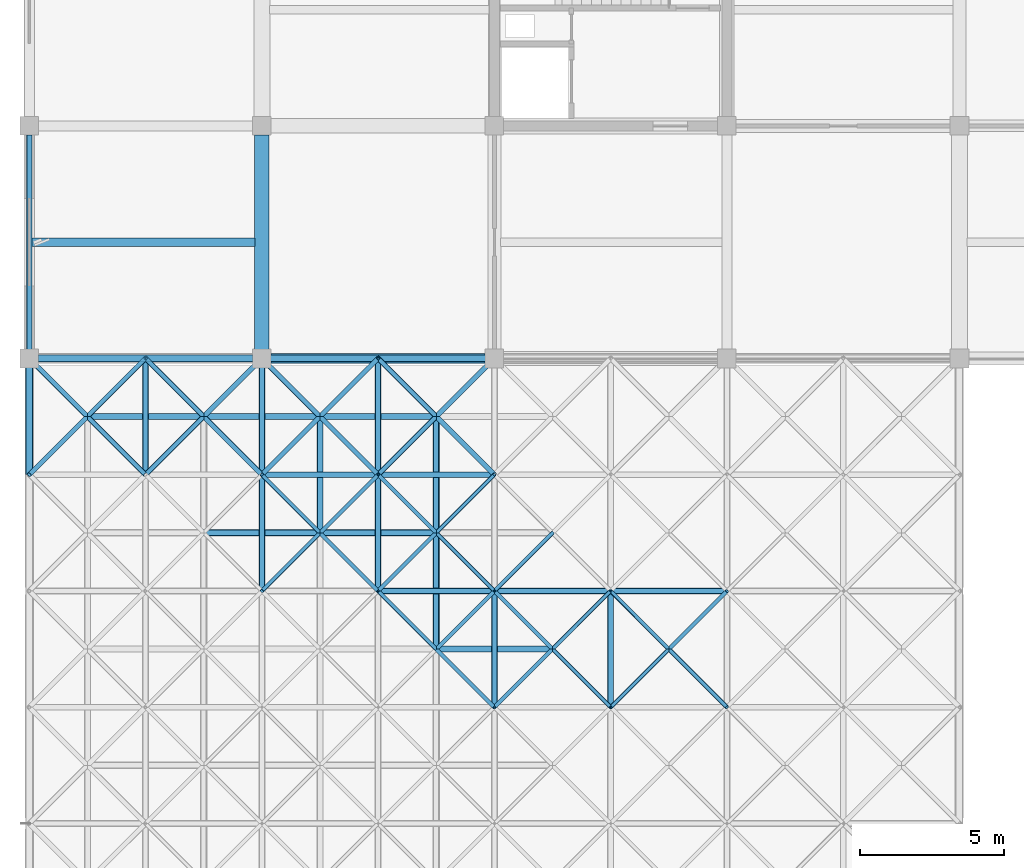
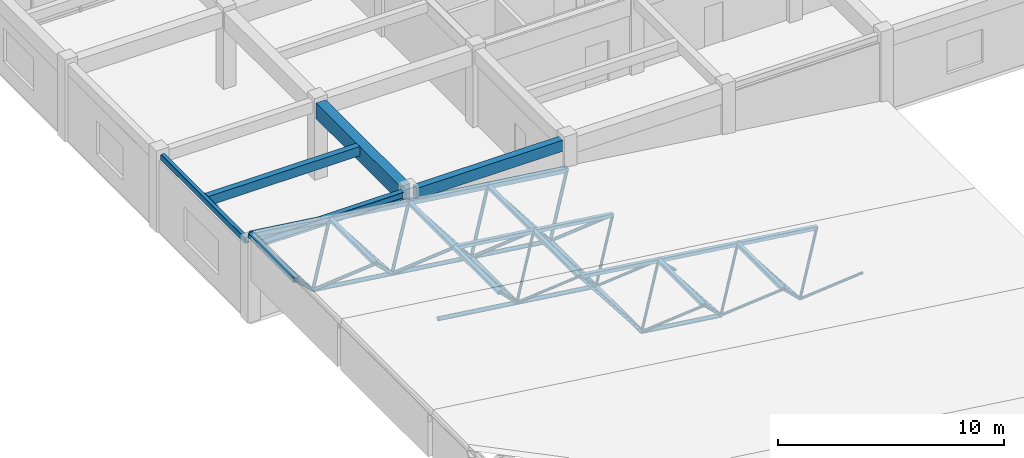
# One storey, part 23 of 70: 62 members, 5 beams.
"""IFC4 building model written with IfcOpenShell, lengths in metres."""

from ifc_helpers import new_model, si_unit, direction, frame, origin, origin_2d, place, context, subcontext, project, spatial, rectangle, hollow_rectangle, hollow_circle, i_section, extrude, material, material_profile, profile_set, type_object, element, save


model = new_model("IFC4")

# Units and contexts
model_context = context("Model", 3, precision=1e-05, world=origin(), true_north=direction((0.0, 1.0)))
body_context = subcontext(model_context, "Body", "Model", "MODEL_VIEW")
ifc_project = project(units=[si_unit("LENGTHUNIT", "METRE"), si_unit("AREAUNIT", "SQUARE_METRE"), si_unit("VOLUMEUNIT", "CUBIC_METRE"), si_unit("PLANEANGLEUNIT", "RADIAN"), si_unit("MASSUNIT", "GRAM", prefix="KILO")], contexts=[model_context])

# Site, building, storey
site_placement = place(None, origin())
site = spatial("IfcSite", under=ifc_project, at=site_placement, CompositionType="ELEMENT")
building_placement = place(site_placement, origin())
building = spatial("IfcBuilding", under=site, at=building_placement, Name="Vaudrelin Polytechnic", CompositionType="ELEMENT")
storey_placement = place(building_placement, frame((0.0, 0.0, 14.110107421875)))
storey = spatial("IfcBuildingStorey", under=building, at=storey_placement, Name="L03", CompositionType="ELEMENT", Elevation=14.110107421875)

# Beams
ifc_material_1 = material(Name="Concrete 40 MPa", Category="concrete")
ifc_material_profile_1 = material_profile(ifc_material_1, rectangle(XDim=0.35009765625, YDim=0.60009765625, at=origin_2d()), Name="RC350x600")
ifc_profile_set_1 = profile_set([ifc_material_profile_1], Name="Concrete 40 MPa")
beam_type_1 = type_object("IfcBeamType", Name="BM-BM-RC3560", PredefinedType="BEAM", material=ifc_profile_set_1)
beam_1_placement = place(storey_placement, frame((8.4208984375, 97.199951171875, 3.85986328125), z_axis=(1.0, 0.0, 0.0), x_axis=(0.0, 1.0, 0.0)))
element("IfcBeam", 1, at=beam_1_placement, inside=storey, type_object=beam_type_1, Name="L03 X-beam 2-13", PredefinedType="BEAM", context=body_context, shape_type="SweptSolid", body=[
    extrude(rectangle(XDim=0.35009765625, YDim=0.60009765625, at=origin_2d()), origin(), (0.0, 0.0, 1.0), 7.4580078125),
])
ifc_material_profile_2 = material_profile(ifc_material_1, rectangle(XDim=0.5, YDim=0.85009765625, at=origin_2d()), Name="RC500x850")
ifc_profile_set_2 = profile_set([ifc_material_profile_2], Name="Concrete 40 MPa")
beam_type_2 = type_object("IfcBeamType", Name="BM-BM-RC5085", PredefinedType="BEAM", material=ifc_profile_set_2)
beam_2_placement = place(storey_placement, frame((8.10009765625, 97.510009765625, 3.73486328125), z_axis=(0.0, 1.0, 0.0), x_axis=(-1.0, 0.0, 0.0)))
element("IfcBeam", 2, at=beam_2_placement, inside=storey, type_object=beam_type_2, Name="L03 Y-beam 2-13", PredefinedType="BEAM", context=body_context, shape_type="SweptSolid", body=[
    extrude(rectangle(XDim=0.5, YDim=0.85009765625, at=origin_2d()), origin(), (0.0, 0.0, 1.0), 7.47998046875),
])
ifc_material_2 = material(Name="Steel CSA G40.21 350WT", Category="steel")
ifc_material_profile_3 = material_profile(ifc_material_2, i_section(OverallWidth=0.260009765625, OverallDepth=0.4150390625, WebThickness=0.010009765625, FlangeThickness=0.016845703125, FilletRadius=0.01611328125, at=origin_2d()), Name="W410x100")
ifc_profile_set_3 = profile_set([ifc_material_profile_3], Name="Steel CSA G40.21 350WT")
beam_type_3 = type_object("IfcBeamType", Name="BM-BM-W410H", PredefinedType="SPANDREL", material=ifc_profile_set_3)
beam_3_placement = place(storey_placement, frame((0.321044921875, 97.199951171875, 3.952392578125), z_axis=(1.0, 0.0, 0.0), x_axis=(0.0, 1.0, 0.0)))
element("IfcBeam", 3, at=beam_3_placement, inside=storey, type_object=beam_type_3, Name="L03 X-beam 1-13", PredefinedType="SPANDREL", context=body_context, shape_type="SweptSolid", body=[
    extrude(i_section(OverallWidth=0.260009765625, OverallDepth=0.4150390625, WebThickness=0.010009765625, FlangeThickness=0.016845703125, FilletRadius=0.01611328125, at=origin_2d()), origin(), (0.0, 0.0, 1.0), 7.4580078125),
])
ifc_material_profile_4 = material_profile(ifc_material_1, rectangle(XDim=0.300048828125, YDim=0.5, at=origin_2d()), Name="RC300x500")
ifc_profile_set_4 = profile_set([ifc_material_profile_4], Name="Concrete 40 MPa")
beam_type_4 = type_object("IfcBeamType", Name="BM-JS-RC3050", PredefinedType="JOIST", material=ifc_profile_set_4)
beam_4_placement = place(storey_placement, frame((0.097412109375, 101.25, 3.909912109375), z_axis=(1.0, 0.0, 0.0), x_axis=(0.0, 1.0, 0.0)))
element("IfcBeam", 4, at=beam_4_placement, inside=storey, type_object=beam_type_4, Name="L03 floor joist 1-13", PredefinedType="JOIST", context=body_context, shape_type="SweptSolid", body=[
    extrude(rectangle(XDim=0.300048828125, YDim=0.5, at=origin_2d()), origin(), (0.0, 0.0, 1.0), 7.756591796875),
])
ifc_material_profile_5 = material_profile(ifc_material_2, hollow_rectangle(XDim=0.202880859375, YDim=0.304931640625, WallThickness=0.010986328125, InnerFilletRadius=0.010986328125, OuterFilletRadius=0.022216796875, at=origin_2d()), Name="HSS305x203x11.1")
ifc_profile_set_5 = profile_set([ifc_material_profile_5], Name="Steel CSA G40.21 350WT")
beam_type_5 = type_object("IfcBeamType", Name="BM-SP-HSS30", PredefinedType="SPANDREL", material=ifc_profile_set_5)
beam_5_placement = place(storey_placement, frame((0.0, 97.510009765625, 4.00732421875), z_axis=(0.0, 1.0, 0.0), x_axis=(-1.0, 0.0, 0.0)))
element("IfcBeam", 5, at=beam_5_placement, inside=storey, type_object=beam_type_5, Name="L03 Y-beam 1-13", PredefinedType="SPANDREL", context=body_context, shape_type="SweptSolid", body=[
    extrude(hollow_rectangle(XDim=0.202880859375, YDim=0.304931640625, WallThickness=0.010986328125, InnerFilletRadius=0.010986328125, OuterFilletRadius=0.022216796875, at=origin_2d()), origin(), (0.0, 0.0, 1.0), 7.47998046875),
])

# Members
ifc_material_profile_6 = material_profile(ifc_material_2, hollow_circle(Radius=0.109619140625, WallThickness=0.010986328125, at=origin_2d()), Name="CHS219.1x11.1")
ifc_profile_set_6 = profile_set([ifc_material_profile_6], Name="Steel CSA G40.21 350WT")
member_type_1 = type_object("IfcMemberType", Name="MEM-SF-BC1", PredefinedType="CHORD", material=ifc_profile_set_6)
for number, where, z_axis, x_axis, name in (
    (6, (14.175048828125, 87.074951171875, 0.439208984375), (0.991444732077, 0.0, -0.130527174324), (0.0, 1.0, 0.0), "Space frame bottom chord X 4-12"),
    (7, (6.074951171875, 91.125, 1.505615234375), (0.991444732077, 0.0, -0.130527174324), (0.0, 1.0, 0.0), "Space frame bottom chord X 2-13"),
    (8, (10.125, 91.125, 0.972412109375), (0.991444732077, 0.0, -0.130527174324), (0.0, 1.0, 0.0), "Space frame bottom chord X 3-13"),
    (9, (2.02490234375, 95.175048828125, 2.038818359375), (0.991444732077, 0.0, -0.130527174324), (0.0, 1.0, 0.0), "Space frame bottom chord X 1-14"),
    (10, (6.074951171875, 95.175048828125, 1.505615234375), (0.991444732077, 0.0, -0.130527174324), (0.0, 1.0, 0.0), "Space frame bottom chord X 2-14"),
    (11, (10.125, 95.175048828125, 0.972412109375), (0.991444732077, 0.0, -0.130527174324), (0.0, 1.0, 0.0), "Space frame bottom chord X 3-14"),
):
    element("IfcMember", number, at=place(storey_placement, frame(where, z_axis=z_axis, x_axis=x_axis)), inside=storey, type_object=member_type_1, Name=name, PredefinedType="CHORD", context=body_context, shape_type="SweptSolid", body=[
        extrude(hollow_circle(Radius=0.109619140625, WallThickness=0.010986328125, at=origin_2d()), origin(), (0.0, 0.0, 1.0), 4.0849609375),
    ])
for number, where, z_axis, x_axis, name in (
    (12, (10.125, 91.125, 0.972412109375), (0.0, 1.0, 0.0), (-1.0, 0.0, 0.0), "Space frame bottom chord Y 3-13"),
    (13, (14.175048828125, 87.074951171875, 0.439208984375), (0.0, 1.0, 0.0), (-1.0, 0.0, 0.0), "Space frame bottom chord Y 4-12"),
    (14, (14.175048828125, 91.125, 0.439208984375), (0.0, 1.0, 0.0), (-1.0, 0.0, 0.0), "Space frame bottom chord Y 4-13"),
):
    element("IfcMember", number, at=place(storey_placement, frame(where, z_axis=z_axis, x_axis=x_axis)), inside=storey, type_object=member_type_1, Name=name, PredefinedType="CHORD", context=body_context, shape_type="SweptSolid", body=[
        extrude(hollow_circle(Radius=0.109619140625, WallThickness=0.010986328125, at=origin_2d()), origin(), (0.0, 0.0, 1.0), 4.050048828125),
    ])
ifc_material_profile_7 = material_profile(ifc_material_2, hollow_rectangle(XDim=0.202880859375, YDim=0.202880859375, WallThickness=0.009521484375, InnerFilletRadius=0.009521484375, OuterFilletRadius=0.01904296875, at=origin_2d()), Name="HSS203x203x9.5")
ifc_profile_set_7 = profile_set([ifc_material_profile_7], Name="Steel CSA G40.21 350WT")
member_type_2 = type_object("IfcMemberType", Name="MEM-SF-TC1", PredefinedType="CHORD", material=ifc_profile_set_7)
for number, where, z_axis, x_axis, name in (
    (15, (12.14990234375, 89.10009765625, 2.906005859375), (0.991444732077, 0.0, -0.130527174324), (0.0, 1.0, 0.0), "Space frame top chord X 4-13"),
    (16, (16.199951171875, 89.10009765625, 2.372802734375), (0.991444732077, 0.0, -0.130527174324), (0.0, 1.0, 0.0), "Space frame top chord X 5-13"),
    (17, (20.25, 89.10009765625, 1.839599609375), (0.991444732077, 0.0, -0.130527174324), (0.0, 1.0, 0.0), "Space frame top chord X 6-13"),
):
    element("IfcMember", number, at=place(storey_placement, frame(where, z_axis=z_axis, x_axis=x_axis)), inside=storey, type_object=member_type_2, Name=name, PredefinedType="CHORD", context=body_context, shape_type="SweptSolid", body=[
        extrude(hollow_rectangle(XDim=0.202880859375, YDim=0.202880859375, WallThickness=0.009521484375, InnerFilletRadius=0.009521484375, OuterFilletRadius=0.01904296875, at=origin_2d()), origin(), (0.0, 0.0, 1.0), 4.0849609375),
    ])
member_1_placement = place(storey_placement, frame((8.10009765625, 93.14990234375, 3.439208984375), z_axis=(0.991443713746, 0.0, -0.13053490902), x_axis=(0.0, 1.0, 0.0)))
element("IfcMember", 18, at=member_1_placement, inside=storey, type_object=member_type_2, Name="Space frame top chord X 3-14", PredefinedType="CHORD", context=body_context, shape_type="SweptSolid", body=[
    extrude(hollow_rectangle(XDim=0.202880859375, YDim=0.202880859375, WallThickness=0.009521484375, InnerFilletRadius=0.009521484375, OuterFilletRadius=0.01904296875, at=origin_2d()), origin(), (0.0, 0.0, 1.0), 4.084716796875),
])
member_2_placement = place(storey_placement, frame((12.14990234375, 93.14990234375, 2.906005859375), z_axis=(0.991444732077, 0.0, -0.130527174324), x_axis=(0.0, 1.0, 0.0)))
element("IfcMember", 19, at=member_2_placement, inside=storey, type_object=member_type_2, Name="Space frame top chord X 4-14", PredefinedType="CHORD", context=body_context, shape_type="SweptSolid", body=[
    extrude(hollow_rectangle(XDim=0.202880859375, YDim=0.202880859375, WallThickness=0.009521484375, InnerFilletRadius=0.009521484375, OuterFilletRadius=0.01904296875, at=origin_2d()), origin(), (0.0, 0.0, 1.0), 4.0849609375),
])
member_3_placement = place(storey_placement, frame((4.050048828125, 93.14990234375, 3.97216796875), z_axis=(0.0, 1.0, 0.0), x_axis=(-1.0, 0.0, 0.0)))
element("IfcMember", 20, at=member_3_placement, inside=storey, type_object=member_type_2, Name="Space frame top chord Y 2-14", PredefinedType="CHORD", context=body_context, shape_type="SweptSolid", body=[
    extrude(hollow_rectangle(XDim=0.202880859375, YDim=0.202880859375, WallThickness=0.009521484375, InnerFilletRadius=0.009521484375, OuterFilletRadius=0.01904296875, at=origin_2d()), origin(), (0.0, 0.0, 1.0), 4.050048828125),
])
member_4_placement = place(storey_placement, frame((8.10009765625, 89.10009765625, 3.439208984375), z_axis=(0.0, 1.0, 0.0), x_axis=(-1.0, 0.0, 0.0)))
element("IfcMember", 21, at=member_4_placement, inside=storey, type_object=member_type_2, Name="Space frame top chord Y 3-13", PredefinedType="CHORD", context=body_context, shape_type="SweptSolid", body=[
    extrude(hollow_rectangle(XDim=0.202880859375, YDim=0.202880859375, WallThickness=0.009521484375, InnerFilletRadius=0.009521484375, OuterFilletRadius=0.01904296875, at=origin_2d()), origin(), (0.0, 0.0, 1.0), 4.0498046875),
])
member_5_placement = place(storey_placement, frame((8.10009765625, 93.14990234375, 3.439208984375), z_axis=(0.0, 1.0, 0.0), x_axis=(-1.0, 0.0, 0.0)))
element("IfcMember", 22, at=member_5_placement, inside=storey, type_object=member_type_2, Name="Space frame top chord Y 3-14", PredefinedType="CHORD", context=body_context, shape_type="SweptSolid", body=[
    extrude(hollow_rectangle(XDim=0.202880859375, YDim=0.202880859375, WallThickness=0.009521484375, InnerFilletRadius=0.009521484375, OuterFilletRadius=0.01904296875, at=origin_2d()), origin(), (0.0, 0.0, 1.0), 4.050048828125),
])
member_6_placement = place(storey_placement, frame((12.14990234375, 89.10009765625, 2.906005859375), z_axis=(0.0, 1.0, 0.0), x_axis=(-1.0, 0.0, 0.0)))
element("IfcMember", 23, at=member_6_placement, inside=storey, type_object=member_type_2, Name="Space frame top chord Y 4-13", PredefinedType="CHORD", context=body_context, shape_type="SweptSolid", body=[
    extrude(hollow_rectangle(XDim=0.202880859375, YDim=0.202880859375, WallThickness=0.009521484375, InnerFilletRadius=0.009521484375, OuterFilletRadius=0.01904296875, at=origin_2d()), origin(), (0.0, 0.0, 1.0), 4.0498046875),
])
for number, where, z_axis, x_axis, name in (
    (24, (12.14990234375, 93.14990234375, 2.906005859375), (0.0, 1.0, 0.0), (-1.0, 0.0, 0.0), "Space frame top chord Y 4-14"),
    (25, (16.199951171875, 85.050048828125, 2.372802734375), (0.0, 1.0, 0.0), (-1.0, 0.0, 0.0), "Space frame top chord Y 5-12"),
    (26, (20.25, 85.050048828125, 1.839599609375), (0.0, 1.0, 0.0), (-1.0, 0.0, 0.0), "Space frame top chord Y 6-12"),
):
    element("IfcMember", number, at=place(storey_placement, frame(where, z_axis=z_axis, x_axis=x_axis)), inside=storey, type_object=member_type_2, Name=name, PredefinedType="CHORD", context=body_context, shape_type="SweptSolid", body=[
        extrude(hollow_rectangle(XDim=0.202880859375, YDim=0.202880859375, WallThickness=0.009521484375, InnerFilletRadius=0.009521484375, OuterFilletRadius=0.01904296875, at=origin_2d()), origin(), (0.0, 0.0, 1.0), 4.050048828125),
    ])
ifc_material_profile_8 = material_profile(ifc_material_2, hollow_rectangle(XDim=0.25390625, YDim=0.25390625, WallThickness=0.0126953125, InnerFilletRadius=0.0126953125, OuterFilletRadius=0.025390625, at=origin_2d()), Name="HSS254x254x12.7")
ifc_profile_set_8 = profile_set([ifc_material_profile_8], Name="Steel CSA G40.21 350WT")
member_type_3 = type_object("IfcMemberType", Name="MEM-SF-TC2", PredefinedType="CHORD", material=ifc_profile_set_8)
for number, where, z_axis, x_axis, name in (
    (27, (0.0, 97.199951171875, 4.50537109375), (0.991444732077, 0.0, -0.130527174324), (0.0, 1.0, 0.0), "Space frame top chord X 1-15"),
    (28, (4.050048828125, 97.199951171875, 3.97216796875), (0.991452464639, 0.0, -0.130468426687), (0.0, 1.0, 0.0), "Space frame top chord X 2-15"),
):
    element("IfcMember", number, at=place(storey_placement, frame(where, z_axis=z_axis, x_axis=x_axis)), inside=storey, type_object=member_type_3, Name=name, PredefinedType="CHORD", context=body_context, shape_type="SweptSolid", body=[
        extrude(hollow_rectangle(XDim=0.25390625, YDim=0.25390625, WallThickness=0.0126953125, InnerFilletRadius=0.0126953125, OuterFilletRadius=0.025390625, at=origin_2d()), origin(), (0.0, 0.0, 1.0), 4.0849609375),
    ])
member_7_placement = place(storey_placement, frame((8.10009765625, 97.199951171875, 3.439208984375), z_axis=(0.991443713746, 0.0, -0.13053490902), x_axis=(0.0, 1.0, 0.0)))
element("IfcMember", 29, at=member_7_placement, inside=storey, type_object=member_type_3, Name="Space frame top chord X 3-15", PredefinedType="CHORD", context=body_context, shape_type="SweptSolid", body=[
    extrude(hollow_rectangle(XDim=0.25390625, YDim=0.25390625, WallThickness=0.0126953125, InnerFilletRadius=0.0126953125, OuterFilletRadius=0.025390625, at=origin_2d()), origin(), (0.0, 0.0, 1.0), 4.084716796875),
])
member_8_placement = place(storey_placement, frame((12.14990234375, 97.199951171875, 2.906005859375), z_axis=(0.991444732077, 0.0, -0.130527174324), x_axis=(0.0, 1.0, 0.0)))
element("IfcMember", 30, at=member_8_placement, inside=storey, type_object=member_type_3, Name="Space frame top chord X 4-15", PredefinedType="CHORD", context=body_context, shape_type="SweptSolid", body=[
    extrude(hollow_rectangle(XDim=0.25390625, YDim=0.25390625, WallThickness=0.0126953125, InnerFilletRadius=0.0126953125, OuterFilletRadius=0.025390625, at=origin_2d()), origin(), (0.0, 0.0, 1.0), 4.0849609375),
])
member_9_placement = place(storey_placement, frame((0.0, 93.14990234375, 4.50537109375), z_axis=(0.0, 1.0, 0.0), x_axis=(-1.0, 0.0, 0.0)))
element("IfcMember", 31, at=member_9_placement, inside=storey, type_object=member_type_3, Name="Space frame top chord Y 1-14", PredefinedType="CHORD", context=body_context, shape_type="SweptSolid", body=[
    extrude(hollow_rectangle(XDim=0.25390625, YDim=0.25390625, WallThickness=0.0126953125, InnerFilletRadius=0.0126953125, OuterFilletRadius=0.025390625, at=origin_2d()), origin(), (0.0, 0.0, 1.0), 4.050048828125),
])
ifc_material_profile_9 = material_profile(ifc_material_2, hollow_circle(Radius=0.06982421875, WallThickness=0.008056640625, at=origin_2d()), Name="CHS139.7x8.0")
ifc_profile_set_9 = profile_set([ifc_material_profile_9], Name="Steel CSA G40.21 350WT")
member_type_4 = type_object("IfcMemberType", Name="MEM-SF-WB1", PredefinedType="BRACE", material=ifc_profile_set_9)
member_10_placement = place(storey_placement, frame((10.125, 91.125, 0.972412109375), z_axis=(-0.535741961868, -0.535741961868, 0.652656954753), x_axis=(0.707106781187, -0.707106781187, 0.0)))
element("IfcMember", 32, at=member_10_placement, inside=storey, type_object=member_type_4, Name="Space frame web diagonal 3.13.1", PredefinedType="BRACE", context=body_context, shape_type="SweptSolid", body=[
    extrude(hollow_circle(Radius=0.06982421875, WallThickness=0.008056640625, at=origin_2d()), origin(), (0.0, 0.0, 1.0), 3.779541015625),
])
for number, where, z_axis, x_axis, name in (
    (33, (10.125, 91.125, 0.972412109375), (0.586024364893, -0.586024364893, 0.559598863028), (0.707106781187, 0.707106781187, 0.0), "Space frame web diagonal 3.13.2"),
    (34, (10.125, 91.125, 0.972412109375), (0.586024364893, 0.586024364893, 0.559598863028), (-0.707106781187, 0.707106781187, 0.0), "Space frame web diagonal 3.13.3"),
):
    element("IfcMember", number, at=place(storey_placement, frame(where, z_axis=z_axis, x_axis=x_axis)), inside=storey, type_object=member_type_4, Name=name, PredefinedType="BRACE", context=body_context, shape_type="SweptSolid", body=[
        extrude(hollow_circle(Radius=0.06982421875, WallThickness=0.008056640625, at=origin_2d()), origin(), (0.0, 0.0, 1.0), 3.455322265625),
    ])
member_11_placement = place(storey_placement, frame((10.125, 91.125, 0.972412109375), z_axis=(-0.535741961868, 0.535741961868, 0.652656954753), x_axis=(-0.707106781187, -0.707106781187, 0.0)))
element("IfcMember", 35, at=member_11_placement, inside=storey, type_object=member_type_4, Name="Space frame web diagonal 3.13.4", PredefinedType="BRACE", context=body_context, shape_type="SweptSolid", body=[
    extrude(hollow_circle(Radius=0.06982421875, WallThickness=0.008056640625, at=origin_2d()), origin(), (0.0, 0.0, 1.0), 3.779541015625),
])
member_12_placement = place(storey_placement, frame((14.175048828125, 87.074951171875, 0.439208984375), z_axis=(0.586024364893, -0.586024364893, 0.559598863028), x_axis=(0.707106781187, 0.707106781187, 0.0)))
element("IfcMember", 36, at=member_12_placement, inside=storey, type_object=member_type_4, Name="Space frame web diagonal 4.12.2", PredefinedType="BRACE", context=body_context, shape_type="SweptSolid", body=[
    extrude(hollow_circle(Radius=0.06982421875, WallThickness=0.008056640625, at=origin_2d()), origin(), (0.0, 0.0, 1.0), 3.455322265625),
])
member_13_placement = place(storey_placement, frame((14.175048828125, 87.074951171875, 0.439208984375), z_axis=(0.586000099787, 0.586070753284, 0.559575692105), x_axis=(-0.707149404941, 0.707064154862, 0.0)))
element("IfcMember", 37, at=member_13_placement, inside=storey, type_object=member_type_4, Name="Space frame web diagonal 4.12.3", PredefinedType="BRACE", context=body_context, shape_type="SweptSolid", body=[
    extrude(hollow_circle(Radius=0.06982421875, WallThickness=0.008056640625, at=origin_2d()), origin(), (0.0, 0.0, 1.0), 3.45556640625),
])
for number, where, z_axis, x_axis, name in (
    (38, (14.175048828125, 87.074951171875, 0.439208984375), (-0.535769473509, 0.535769473509, 0.652611785453), (-0.707106781187, -0.707106781187, 0.0), "Space frame web diagonal 4.12.4"),
    (39, (14.175048828125, 91.125, 0.439208984375), (-0.535788013686, -0.535723422002, 0.65263436893), (0.707064154862, -0.707149404941, 0.0), "Space frame web diagonal 4.13.1"),
):
    element("IfcMember", number, at=place(storey_placement, frame(where, z_axis=z_axis, x_axis=x_axis)), inside=storey, type_object=member_type_4, Name=name, PredefinedType="BRACE", context=body_context, shape_type="SweptSolid", body=[
        extrude(hollow_circle(Radius=0.06982421875, WallThickness=0.008056640625, at=origin_2d()), origin(), (0.0, 0.0, 1.0), 3.77978515625),
    ])
for number, where, z_axis, x_axis, name in (
    (40, (14.175048828125, 91.125, 0.439208984375), (0.586024364893, -0.586024364893, 0.559598863028), (0.707106781187, 0.707106781187, 0.0), "Space frame web diagonal 4.13.2"),
    (41, (14.175048828125, 91.125, 0.439208984375), (0.586024364893, 0.586024364893, 0.559598863028), (-0.707106781187, 0.707106781187, 0.0), "Space frame web diagonal 4.13.3"),
):
    element("IfcMember", number, at=place(storey_placement, frame(where, z_axis=z_axis, x_axis=x_axis)), inside=storey, type_object=member_type_4, Name=name, PredefinedType="BRACE", context=body_context, shape_type="SweptSolid", body=[
        extrude(hollow_circle(Radius=0.06982421875, WallThickness=0.008056640625, at=origin_2d()), origin(), (0.0, 0.0, 1.0), 3.455322265625),
    ])
for number, where, z_axis, x_axis, name in (
    (42, (14.175048828125, 91.125, 0.439208984375), (-0.535788013686, 0.535723422002, 0.65263436893), (-0.707064154862, -0.707149404941, 0.0), "Space frame web diagonal 4.13.4"),
    (43, (18.22509765625, 87.074951171875, -0.093994140625), (-0.535788013686, -0.535723422002, 0.65263436893), (0.707064154862, -0.707149404941, 0.0), "Space frame web diagonal 5.12.1"),
):
    element("IfcMember", number, at=place(storey_placement, frame(where, z_axis=z_axis, x_axis=x_axis)), inside=storey, type_object=member_type_4, Name=name, PredefinedType="BRACE", context=body_context, shape_type="SweptSolid", body=[
        extrude(hollow_circle(Radius=0.06982421875, WallThickness=0.008056640625, at=origin_2d()), origin(), (0.0, 0.0, 1.0), 3.77978515625),
    ])
member_14_placement = place(storey_placement, frame((18.22509765625, 87.074951171875, -0.093994140625), z_axis=(0.586024364893, -0.586024364893, 0.559598863028), x_axis=(0.707106781187, 0.707106781187, 0.0)))
element("IfcMember", 44, at=member_14_placement, inside=storey, type_object=member_type_4, Name="Space frame web diagonal 5.12.2", PredefinedType="BRACE", context=body_context, shape_type="SweptSolid", body=[
    extrude(hollow_circle(Radius=0.06982421875, WallThickness=0.008056640625, at=origin_2d()), origin(), (0.0, 0.0, 1.0), 3.455322265625),
])
member_15_placement = place(storey_placement, frame((18.22509765625, 87.074951171875, -0.093994140625), z_axis=(0.586000099787, 0.586070753284, 0.559575692105), x_axis=(-0.707149404941, 0.707064154862, 0.0)))
element("IfcMember", 45, at=member_15_placement, inside=storey, type_object=member_type_4, Name="Space frame web diagonal 5.12.3", PredefinedType="BRACE", context=body_context, shape_type="SweptSolid", body=[
    extrude(hollow_circle(Radius=0.06982421875, WallThickness=0.008056640625, at=origin_2d()), origin(), (0.0, 0.0, 1.0), 3.45556640625),
])
for number, where, z_axis, x_axis, name in (
    (46, (18.22509765625, 87.074951171875, -0.093994140625), (-0.535769473509, 0.535769473509, 0.652611785453), (-0.707106781187, -0.707106781187, 0.0), "Space frame web diagonal 5.12.4"),
    (47, (18.22509765625, 91.125, -0.093994140625), (-0.535788013686, -0.535723422002, 0.65263436893), (0.707064154862, -0.707149404941, 0.0), "Space frame web diagonal 5.13.1"),
):
    element("IfcMember", number, at=place(storey_placement, frame(where, z_axis=z_axis, x_axis=x_axis)), inside=storey, type_object=member_type_4, Name=name, PredefinedType="BRACE", context=body_context, shape_type="SweptSolid", body=[
        extrude(hollow_circle(Radius=0.06982421875, WallThickness=0.008056640625, at=origin_2d()), origin(), (0.0, 0.0, 1.0), 3.77978515625),
    ])
member_16_placement = place(storey_placement, frame((22.27490234375, 87.074951171875, -0.627197265625), z_axis=(-0.535741961868, -0.535741961868, 0.652656954753), x_axis=(0.707106781187, -0.707106781187, 0.0)))
element("IfcMember", 48, at=member_16_placement, inside=storey, type_object=member_type_4, Name="Space frame web diagonal 6.12.1", PredefinedType="BRACE", context=body_context, shape_type="SweptSolid", body=[
    extrude(hollow_circle(Radius=0.06982421875, WallThickness=0.008056640625, at=origin_2d()), origin(), (0.0, 0.0, 1.0), 3.779541015625),
])
for number, where, z_axis, x_axis, name in (
    (49, (22.27490234375, 87.074951171875, -0.627197265625), (0.586070753284, -0.586000099787, 0.559575692105), (0.707064154862, 0.707149404941, 0.0), "Space frame web diagonal 6.12.2"),
    (50, (22.27490234375, 87.074951171875, -0.627197265625), (0.586046488267, 0.586046488267, 0.559552524059), (-0.707106781187, 0.707106781187, 0.0), "Space frame web diagonal 6.12.3"),
):
    element("IfcMember", number, at=place(storey_placement, frame(where, z_axis=z_axis, x_axis=x_axis)), inside=storey, type_object=member_type_4, Name=name, PredefinedType="BRACE", context=body_context, shape_type="SweptSolid", body=[
        extrude(hollow_circle(Radius=0.06982421875, WallThickness=0.008056640625, at=origin_2d()), origin(), (0.0, 0.0, 1.0), 3.45556640625),
    ])
member_17_placement = place(storey_placement, frame((22.27490234375, 87.074951171875, -0.627197265625), z_axis=(-0.535723422002, 0.535788013686, 0.65263436893), x_axis=(-0.707149404941, -0.707064154862, 0.0)))
element("IfcMember", 51, at=member_17_placement, inside=storey, type_object=member_type_4, Name="Space frame web diagonal 6.12.4", PredefinedType="BRACE", context=body_context, shape_type="SweptSolid", body=[
    extrude(hollow_circle(Radius=0.06982421875, WallThickness=0.008056640625, at=origin_2d()), origin(), (0.0, 0.0, 1.0), 3.77978515625),
])
ifc_material_profile_10 = material_profile(ifc_material_2, hollow_circle(Radius=0.084228515625, WallThickness=0.009521484375, at=origin_2d()), Name="CHS168.3x9.5")
ifc_profile_set_10 = profile_set([ifc_material_profile_10], Name="Steel CSA G40.21 350WT")
member_type_5 = type_object("IfcMemberType", Name="MEM-SF-WB2", PredefinedType="BRACE", material=ifc_profile_set_10)
member_18_placement = place(storey_placement, frame((2.02490234375, 95.175048828125, 2.038818359375), z_axis=(-0.535746005601, -0.535810600007, 0.652597286543), x_axis=(0.707149404941, -0.707064154862, 0.0)))
element("IfcMember", 52, at=member_18_placement, inside=storey, type_object=member_type_5, Name="Space frame web diagonal 1.14.1", PredefinedType="BRACE", context=body_context, shape_type="SweptSolid", body=[
    extrude(hollow_circle(Radius=0.084228515625, WallThickness=0.009521484375, at=origin_2d()), origin(), (0.0, 0.0, 1.0), 3.779541015625),
])
member_19_placement = place(storey_placement, frame((2.02490234375, 95.175048828125, 2.038818359375), z_axis=(0.586069656181, -0.586069656181, 0.559503991235), x_axis=(0.707106781187, 0.707106781187, 0.0)))
element("IfcMember", 53, at=member_19_placement, inside=storey, type_object=member_type_5, Name="Space frame web diagonal 1.14.2", PredefinedType="BRACE", context=body_context, shape_type="SweptSolid", body=[
    extrude(hollow_circle(Radius=0.084228515625, WallThickness=0.009521484375, at=origin_2d()), origin(), (0.0, 0.0, 1.0), 3.45556640625),
])
member_20_placement = place(storey_placement, frame((2.02490234375, 95.175048828125, 2.038818359375), z_axis=(0.586093924076, 0.586023267786, 0.559527159103), x_axis=(-0.707064154862, 0.707149404941, 0.0)))
element("IfcMember", 54, at=member_20_placement, inside=storey, type_object=member_type_5, Name="Space frame web diagonal 1.14.3", PredefinedType="BRACE", context=body_context, shape_type="SweptSolid", body=[
    extrude(hollow_circle(Radius=0.084228515625, WallThickness=0.009521484375, at=origin_2d()), origin(), (0.0, 0.0, 1.0), 3.455322265625),
])
for number, where, z_axis, x_axis, name in (
    (55, (2.02490234375, 95.175048828125, 2.038818359375), (-0.535764547812, 0.535764547812, 0.652619872986), (-0.707106781187, -0.707106781187, 0.0), "Space frame web diagonal 1.14.4"),
    (56, (6.074951171875, 95.175048828125, 1.505615234375), (-0.535746005601, -0.535810600007, 0.652597286543), (0.707149404941, -0.707064154862, 0.0), "Space frame web diagonal 2.14.1"),
):
    element("IfcMember", number, at=place(storey_placement, frame(where, z_axis=z_axis, x_axis=x_axis)), inside=storey, type_object=member_type_5, Name=name, PredefinedType="BRACE", context=body_context, shape_type="SweptSolid", body=[
        extrude(hollow_circle(Radius=0.084228515625, WallThickness=0.009521484375, at=origin_2d()), origin(), (0.0, 0.0, 1.0), 3.779541015625),
    ])
for number, where, z_axis, x_axis, name in (
    (57, (6.074951171875, 95.175048828125, 1.505615234375), (0.586046488267, -0.586046488267, 0.559552524059), (0.707106781187, 0.707106781187, 0.0), "Space frame web diagonal 2.14.2"),
    (58, (6.074951171875, 95.175048828125, 1.505615234375), (0.586070753284, 0.586000099787, 0.559575692105), (-0.707064154862, 0.707149404941, 0.0), "Space frame web diagonal 2.14.3"),
):
    element("IfcMember", number, at=place(storey_placement, frame(where, z_axis=z_axis, x_axis=x_axis)), inside=storey, type_object=member_type_5, Name=name, PredefinedType="BRACE", context=body_context, shape_type="SweptSolid", body=[
        extrude(hollow_circle(Radius=0.084228515625, WallThickness=0.009521484375, at=origin_2d()), origin(), (0.0, 0.0, 1.0), 3.45556640625),
    ])
member_21_placement = place(storey_placement, frame((6.074951171875, 95.175048828125, 1.505615234375), z_axis=(-0.535764547812, 0.535764547812, 0.652619872986), x_axis=(-0.707106781187, -0.707106781187, 0.0)))
element("IfcMember", 59, at=member_21_placement, inside=storey, type_object=member_type_5, Name="Space frame web diagonal 2.14.4", PredefinedType="BRACE", context=body_context, shape_type="SweptSolid", body=[
    extrude(hollow_circle(Radius=0.084228515625, WallThickness=0.009521484375, at=origin_2d()), origin(), (0.0, 0.0, 1.0), 3.779541015625),
])
member_22_placement = place(storey_placement, frame((10.125, 95.175048828125, 0.972412109375), z_axis=(-0.535723422002, -0.535788013686, 0.65263436893), x_axis=(0.707149404941, -0.707064154862, 0.0)))
element("IfcMember", 60, at=member_22_placement, inside=storey, type_object=member_type_5, Name="Space frame web diagonal 3.14.1", PredefinedType="BRACE", context=body_context, shape_type="SweptSolid", body=[
    extrude(hollow_circle(Radius=0.084228515625, WallThickness=0.009521484375, at=origin_2d()), origin(), (0.0, 0.0, 1.0), 3.77978515625),
])
member_23_placement = place(storey_placement, frame((10.125, 95.175048828125, 0.972412109375), z_axis=(0.586000099787, -0.586070753284, 0.559575692105), x_axis=(0.707149404941, 0.707064154862, 0.0)))
element("IfcMember", 61, at=member_23_placement, inside=storey, type_object=member_type_5, Name="Space frame web diagonal 3.14.2", PredefinedType="BRACE", context=body_context, shape_type="SweptSolid", body=[
    extrude(hollow_circle(Radius=0.084228515625, WallThickness=0.009521484375, at=origin_2d()), origin(), (0.0, 0.0, 1.0), 3.45556640625),
])
member_24_placement = place(storey_placement, frame((10.125, 95.175048828125, 0.972412109375), z_axis=(0.586024364893, 0.586024364893, 0.559598863028), x_axis=(-0.707106781187, 0.707106781187, 0.0)))
element("IfcMember", 62, at=member_24_placement, inside=storey, type_object=member_type_5, Name="Space frame web diagonal 3.14.3", PredefinedType="BRACE", context=body_context, shape_type="SweptSolid", body=[
    extrude(hollow_circle(Radius=0.084228515625, WallThickness=0.009521484375, at=origin_2d()), origin(), (0.0, 0.0, 1.0), 3.455322265625),
])
member_25_placement = place(storey_placement, frame((10.125, 95.175048828125, 0.972412109375), z_axis=(-0.535741961868, 0.535741961868, 0.652656954753), x_axis=(-0.707106781187, -0.707106781187, 0.0)))
element("IfcMember", 63, at=member_25_placement, inside=storey, type_object=member_type_5, Name="Space frame web diagonal 3.14.4", PredefinedType="BRACE", context=body_context, shape_type="SweptSolid", body=[
    extrude(hollow_circle(Radius=0.084228515625, WallThickness=0.009521484375, at=origin_2d()), origin(), (0.0, 0.0, 1.0), 3.779541015625),
])
member_26_placement = place(storey_placement, frame((14.175048828125, 95.175048828125, 0.439208984375), z_axis=(-0.535769473509, -0.535769473509, 0.652611785453), x_axis=(0.707106781187, -0.707106781187, 0.0)))
element("IfcMember", 64, at=member_26_placement, inside=storey, type_object=member_type_5, Name="Space frame web diagonal 4.14.1", PredefinedType="BRACE", context=body_context, shape_type="SweptSolid", body=[
    extrude(hollow_circle(Radius=0.084228515625, WallThickness=0.009521484375, at=origin_2d()), origin(), (0.0, 0.0, 1.0), 3.77978515625),
])
member_27_placement = place(storey_placement, frame((14.175048828125, 95.175048828125, 0.439208984375), z_axis=(0.586000099787, -0.586070753284, 0.559575692105), x_axis=(0.707149404941, 0.707064154862, 0.0)))
element("IfcMember", 65, at=member_27_placement, inside=storey, type_object=member_type_5, Name="Space frame web diagonal 4.14.2", PredefinedType="BRACE", context=body_context, shape_type="SweptSolid", body=[
    extrude(hollow_circle(Radius=0.084228515625, WallThickness=0.009521484375, at=origin_2d()), origin(), (0.0, 0.0, 1.0), 3.45556640625),
])
member_28_placement = place(storey_placement, frame((14.175048828125, 95.175048828125, 0.439208984375), z_axis=(0.586024364893, 0.586024364893, 0.559598863028), x_axis=(-0.707106781187, 0.707106781187, 0.0)))
element("IfcMember", 66, at=member_28_placement, inside=storey, type_object=member_type_5, Name="Space frame web diagonal 4.14.3", PredefinedType="BRACE", context=body_context, shape_type="SweptSolid", body=[
    extrude(hollow_circle(Radius=0.084228515625, WallThickness=0.009521484375, at=origin_2d()), origin(), (0.0, 0.0, 1.0), 3.455322265625),
])
member_29_placement = place(storey_placement, frame((14.175048828125, 95.175048828125, 0.439208984375), z_axis=(-0.535788013686, 0.535723422002, 0.65263436893), x_axis=(-0.707064154862, -0.707149404941, 0.0)))
element("IfcMember", 67, at=member_29_placement, inside=storey, type_object=member_type_5, Name="Space frame web diagonal 4.14.4", PredefinedType="BRACE", context=body_context, shape_type="SweptSolid", body=[
    extrude(hollow_circle(Radius=0.084228515625, WallThickness=0.009521484375, at=origin_2d()), origin(), (0.0, 0.0, 1.0), 3.77978515625),
])

save(model, "model.ifc")
